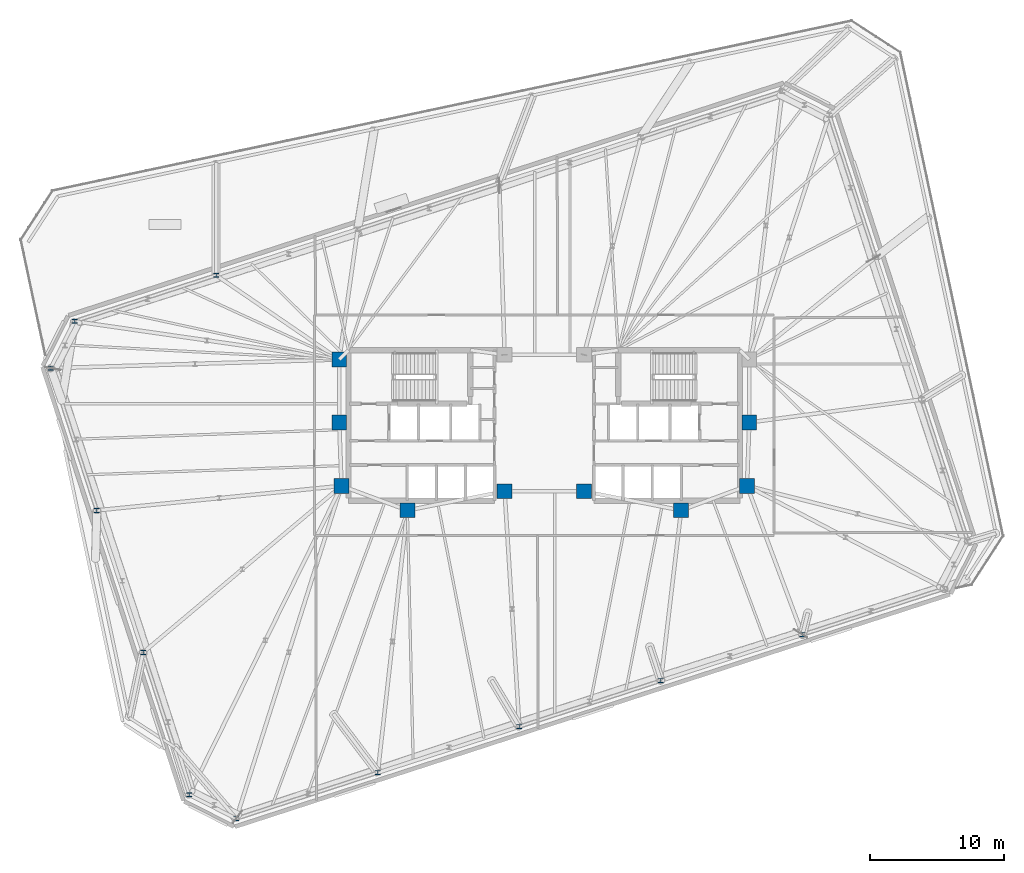
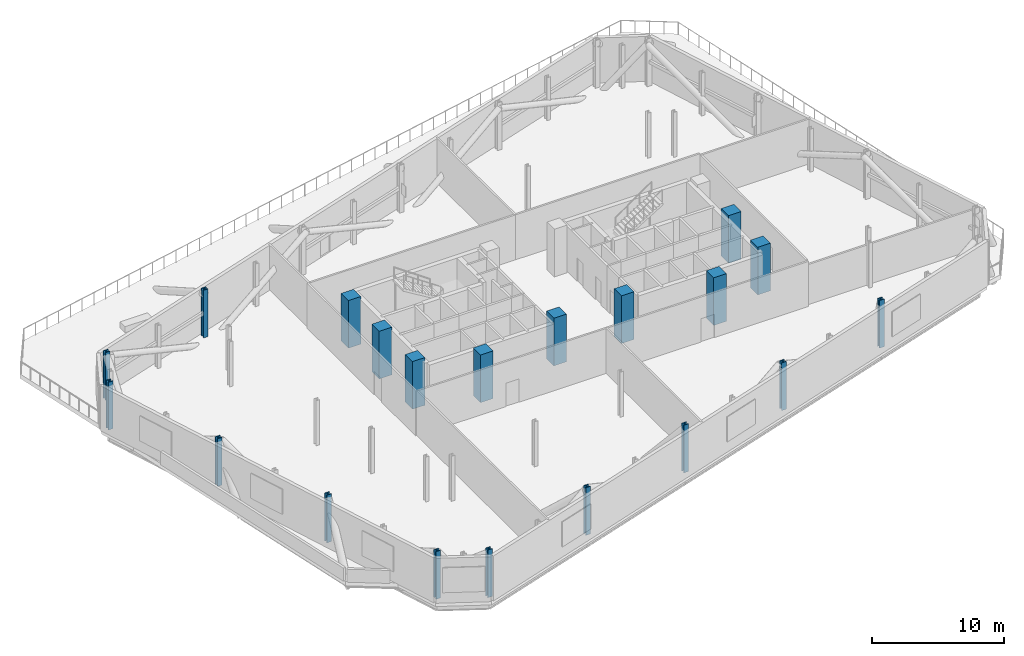
# One storey, part 1 of 16: 20 columns.
"""IFC4 building model written with IfcOpenShell, lengths in metres."""

from ifc_helpers import new_model, si_unit, direction, frame, origin, origin_2d, place, context, subcontext, project, spatial, rectangle, i_section, extrude, material, material_profile, profile_set, type_object, element, save


model = new_model("IFC4")

# Units and contexts
model_context = context("Model", 3, precision=1e-05, world=origin(), true_north=direction((0.0, 1.0)))
body_context = subcontext(model_context, "Body", "Model", "MODEL_VIEW")
ifc_project = project(units=[si_unit("LENGTHUNIT", "METRE"), si_unit("AREAUNIT", "SQUARE_METRE"), si_unit("VOLUMEUNIT", "CUBIC_METRE"), si_unit("PLANEANGLEUNIT", "RADIAN"), si_unit("MASSUNIT", "GRAM", prefix="KILO")], contexts=[model_context])

# Site, building, storey
site_placement = place(None, origin())
site = spatial("IfcSite", under=ifc_project, at=site_placement, CompositionType="ELEMENT")
building_placement = place(site_placement, origin())
building = spatial("IfcBuilding", under=site, at=building_placement, Name="Menara Jurai Vektor", CompositionType="ELEMENT")
storey_placement = place(building_placement, frame((0.0, 0.0, 202.39990234375)))
storey = spatial("IfcBuildingStorey", under=building, at=storey_placement, Name="L53", CompositionType="ELEMENT", Elevation=202.39990234375)

# Columns
ifc_material_1 = material(Name="Concrete C50/60", Category="concrete")
ifc_material_profile_1 = material_profile(ifc_material_1, rectangle(XDim=1.10009765625, YDim=1.10009765625, at=origin_2d()), Name="RC 1100x1100")
ifc_profile_set_1 = profile_set([ifc_material_profile_1], Name="Concrete C50/60")
column_type_1 = type_object("IfcColumnType", Name="STR-COL-RC1100", PredefinedType="COLUMN", material=ifc_profile_set_1)
for number, where, z_axis, x_axis, name in (
    (1, (-15.25, 4.89990234375, 0.0), (0.0, 0.0, 1.0), (1.0, 0.0, 0.0), "Core Spine Column CW-NW L53"),
    (2, (-15.25, 0.219970703125, 0.0), (0.0, 0.0, 1.0), (1.0, 0.0, 0.0), "Core Spine Column CW-WM L53"),
    (3, (-15.080078125, -4.5, 0.0), (0.0, 0.0, 1.0), (1.0, 0.0, 0.0), "Core Spine Column CW-SW L53"),
    (4, (-10.179931640625, -6.320068359375, 0.0), (0.0, 0.0, 1.0), (1.0, 0.0, 0.0), "Core Spine Column CW-SM L53"),
    (5, (-2.949951171875, -4.89990234375, 0.0), (0.0, 0.0, 1.0), (1.0, 0.0, 0.0), "Core Spine Column CW-SE L53"),
    (6, (15.25, 0.219970703125, 0.0), (0.0, 0.0, 1.0), (1.0, 0.0, 0.0), "Core Spine Column CE-EM L53"),
    (7, (15.080078125, -4.5, 0.0), (0.0, 0.0, 1.0), (1.0, 0.0, 0.0), "Core Spine Column CE-SE L53"),
    (8, (10.179931640625, -6.320068359375, 0.0), (0.0, 0.0, 1.0), (1.0, 0.0, 0.0), "Core Spine Column CE-SM L53"),
    (9, (2.949951171875, -4.89990234375, 0.0), (0.0, 0.0, 1.0), (1.0, 0.0, 0.0), "Core Spine Column CE-SW L53"),
):
    element("IfcColumn", number, at=place(storey_placement, frame(where, z_axis=z_axis, x_axis=x_axis)), inside=storey, type_object=column_type_1, Name=name, PredefinedType="COLUMN", context=body_context, shape_type="SweptSolid", body=[
        extrude(rectangle(XDim=1.10009765625, YDim=1.10009765625, at=origin_2d()), origin(), (0.0, 0.0, 1.0), 4.400146484375),
    ])
ifc_material_2 = material(Name="Steel S460", Category="steel")
ifc_material_profile_2 = material_profile(ifc_material_2, i_section(OverallWidth=0.405029296875, OverallDepth=0.35498046875, WebThickness=0.0419921875, FlangeThickness=0.068115234375, FilletRadius=0.014892578125, at=origin_2d()), Name="HD 400x551")
ifc_profile_set_2 = profile_set([ifc_material_profile_2], Name="Steel S460")
column_type_2 = type_object("IfcColumnType", Name="STR-EXO-BLK4", PredefinedType="COLUMN", material=ifc_profile_set_2)
for number, where, z_axis, x_axis, name in (
    (10, (-22.912841796875, -29.2509765625, 0.0), (0.0, 0.0, 1.0), (1.0, 0.0, 0.0), "Exoskeleton Column BLK4-S1 L53"),
    (11, (-12.383544921875, -25.829833984375, 0.0), (0.0, 0.0, 1.0), (1.0, 0.0, 0.0), "Exoskeleton Column BLK4-S2 L53"),
    (12, (-1.854248046875, -22.40869140625, 0.0), (0.0, 0.0, 1.0), (1.0, 0.0, 0.0), "Exoskeleton Column BLK4-S3 L53"),
    (13, (8.675048828125, -18.987548828125, 0.0), (0.0, 0.0, 1.0), (1.0, 0.0, 0.0), "Exoskeleton Column BLK4-S4 L53"),
    (14, (19.204345703125, -15.56640625, 0.0), (0.0, 0.0, 1.0), (1.0, 0.0, 0.0), "Exoskeleton Column BLK4-S5 L53"),
    (15, (-24.404296875, 11.166259765625, 0.0), (0.0, 0.0, 1.0), (1.0, 0.0, 0.0), "Exoskeleton Column BLK4-N5 L53"),
    (16, (-34.93359375, 7.7451171875, 0.0), (0.0, 0.0, 1.0), (1.0, 0.0, 0.0), "Exoskeleton Column BLK4-N6 L53"),
    (17, (-36.71337890625, 4.251953125, 0.0), (0.0, 0.0, 1.0), (1.0, 0.0, 0.0), "Exoskeleton Column BLK4-W1 L53"),
    (18, (-33.277587890625, -6.322265625, 0.0), (0.0, 0.0, 1.0), (1.0, 0.0, 0.0), "Exoskeleton Column BLK4-W2 L53"),
    (19, (-29.841796875, -16.896728515625, 0.0), (0.0, 0.0, 1.0), (1.0, 0.0, 0.0), "Exoskeleton Column BLK4-W3 L53"),
    (20, (-26.406005859375, -27.47119140625, 0.0), (0.0, 0.0, 1.0), (1.0, 0.0, 0.0), "Exoskeleton Column BLK4-W4 L53"),
):
    element("IfcColumn", number, at=place(storey_placement, frame(where, z_axis=z_axis, x_axis=x_axis)), inside=storey, type_object=column_type_2, Name=name, PredefinedType="COLUMN", context=body_context, shape_type="SweptSolid", body=[
        extrude(i_section(OverallWidth=0.405029296875, OverallDepth=0.35498046875, WebThickness=0.0419921875, FlangeThickness=0.068115234375, FilletRadius=0.014892578125, at=origin_2d()), origin(), (0.0, 0.0, 1.0), 4.400146484375),
    ])

save(model, "model.ifc")
